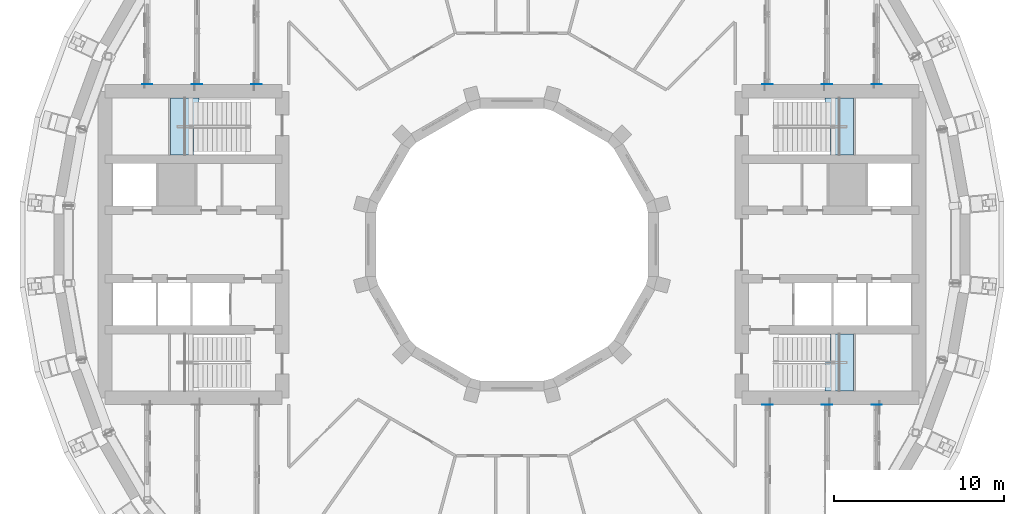
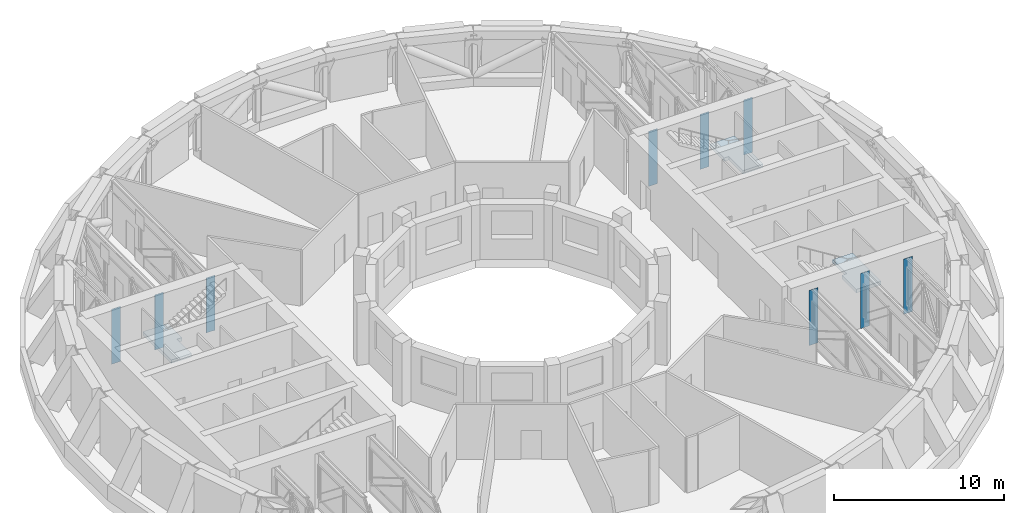
# One storey, part 8 of 19: 9 plates, 3 slabs, 3 elements without a shape of their own.
"""IFC4 building model written with IfcOpenShell, lengths in metres."""

from ifc_helpers import new_model, si_unit, direction, frame, origin, place, context, subcontext, project, spatial, polyline, outline, extrude, material, layer, layer_set, type_object, element, aggregate, save


model = new_model("IFC4")

# Units and contexts
model_context = context("Model", 3, precision=1e-05, world=origin(), true_north=direction((0.0, 1.0)))
body_context = subcontext(model_context, "Body", "Model", "MODEL_VIEW")
ifc_project = project(units=[si_unit("LENGTHUNIT", "METRE"), si_unit("AREAUNIT", "SQUARE_METRE"), si_unit("VOLUMEUNIT", "CUBIC_METRE"), si_unit("PLANEANGLEUNIT", "RADIAN"), si_unit("MASSUNIT", "GRAM", prefix="KILO")], contexts=[model_context])

# Site, building, storey
site_placement = place(None, origin())
site = spatial("IfcSite", under=ifc_project, at=site_placement, CompositionType="ELEMENT")
building_placement = place(site_placement, origin())
building = spatial("IfcBuilding", under=site, at=building_placement, Name="Saqina Gate Tower", CompositionType="ELEMENT")
storey_placement = place(building_placement, frame((0.0, 0.0, 82.39990234375)))
storey = spatial("IfcBuildingStorey", under=building, at=storey_placement, Name="L23", CompositionType="ELEMENT", Elevation=82.39990234375)

# Stair, slab
ifc_material_1 = material(Name="Concrete C40/50", Category="concrete")
stair_type = type_object("IfcStairType", Name="EXIT STAIR", PredefinedType="HALF_TURN_STAIR", material=ifc_material_1)
stair_1_placement = place(storey_placement, origin())
stair_1 = element("IfcStair", 1, at=stair_1_placement, inside=storey, type_object=stair_type, Name="EXIT STAIR 1", PredefinedType="HALF_TURN_STAIR")
ifc_material_2 = material(Name="Concrete C40/50", Category="concrete")
ifc_layer_1 = layer(ifc_material_2, 0.25)
ifc_layer_set_1 = layer_set([ifc_layer_1], Name="Concrete C40/50")
slab_type = type_object("IfcSlabType", Name="EXIT STAIR LANDING", PredefinedType="LANDING", material=ifc_layer_set_1)
slab_1_placement = place(storey_placement, frame((0.0, 0.0, 2.0)))
slab_1 = element("IfcSlab", 2, at=slab_1_placement, type_object=slab_type, Name="EXIT STAIR 1 LANDING 1", PredefinedType="LANDING", context=body_context, shape_type="SweptSolid", body=[
    extrude(outline(polyline([(20.06005859375, 8.60009765625), (20.06005859375, 5.25), (18.705078125, 5.25), (18.705078125, 6.925048828125), (18.384765625, 6.925048828125), (18.384765625, 8.60009765625), (18.705078125, 8.60009765625), (18.7099609375, 8.60009765625), (20.06005859375, 8.60009765625)])), origin(), (0.0, 0.0, 1.0), 0.25),
])
aggregate(stair_1, [slab_1])

stair_2_placement = place(storey_placement, origin())
stair_2 = element("IfcStair", 3, at=stair_2_placement, inside=storey, type_object=stair_type, Name="EXIT STAIR 2", PredefinedType="HALF_TURN_STAIR")
slab_2_placement = place(storey_placement, frame((0.0, 0.0, 2.0)))
slab_2 = element("IfcSlab", 4, at=slab_2_placement, type_object=slab_type, Name="EXIT STAIR 2 LANDING 1", PredefinedType="LANDING", context=body_context, shape_type="SweptSolid", body=[
    extrude(outline(polyline([(18.384765625, -8.60009765625), (18.384765625, -6.925048828125), (18.705078125, -6.925048828125), (18.705078125, -5.25), (20.06005859375, -5.25), (20.06005859375, -8.60009765625), (18.7099609375, -8.60009765625), (18.705078125, -8.60009765625), (18.384765625, -8.60009765625)])), origin(), (0.0, 0.0, 1.0), 0.25),
])
aggregate(stair_2, [slab_2])

stair_3_placement = place(storey_placement, origin())
stair_3 = element("IfcStair", 5, at=stair_3_placement, inside=storey, type_object=stair_type, Name="EXIT STAIR 3", PredefinedType="HALF_TURN_STAIR")
slab_3_placement = place(storey_placement, frame((0.0, 0.0, 2.0)))
slab_3 = element("IfcSlab", 6, at=slab_3_placement, type_object=slab_type, Name="EXIT STAIR 3 LANDING 1", PredefinedType="LANDING", context=body_context, shape_type="SweptSolid", body=[
    extrude(outline(polyline([(-18.705078125, 5.25), (-20.06005859375, 5.25), (-20.06005859375, 8.60009765625), (-18.7099609375, 8.60009765625), (-18.705078125, 8.60009765625), (-18.384765625, 8.60009765625), (-18.384765625, 6.925048828125), (-18.705078125, 6.925048828125), (-18.705078125, 5.25)])), origin(), (0.0, 0.0, 1.0), 0.25),
])
aggregate(stair_3, [slab_3])

# Plates
ifc_material_3 = material(Name="Steel S460", Category="steel")
ifc_layer_2 = layer(ifc_material_3, 0.01806640625)
ifc_layer_set_2 = layer_set([ifc_layer_2], Name="Steel S460")
plate_type = type_object("IfcPlateType", Name="STR-EMBED PLATE", PredefinedType="USERDEFINED", material=ifc_layer_set_2)
plate_1_placement = place(storey_placement, origin())
element("IfcPlate", 7, at=plate_1_placement, inside=storey, type_object=plate_type, Name="EMBED PLATE L23 01", ObjectType="EMBED PLATE", PredefinedType="USERDEFINED", context=body_context, shape_type="SweptSolid", body=[
    extrude(outline(polyline([(21.120849609375, 9.39990234375), (21.720947265625, 9.39990234375), (21.720947265625, 9.41796875), (21.120849609375, 9.41796875), (21.120849609375, 9.39990234375)])), origin(), (0.0, 0.0, 1.0), 3.9501953125),
])
plate_2_placement = place(storey_placement, origin())
element("IfcPlate", 8, at=plate_2_placement, inside=storey, type_object=plate_type, Name="EMBED PLATE L23 02", ObjectType="EMBED PLATE", PredefinedType="USERDEFINED", context=body_context, shape_type="SweptSolid", body=[
    extrude(outline(polyline([(21.120849609375, -9.41796875), (21.720947265625, -9.41796875), (21.720947265625, -9.39990234375), (21.120849609375, -9.39990234375), (21.120849609375, -9.41796875)])), origin(), (0.0, 0.0, 1.0), 3.9501953125),
])
plate_3_placement = place(storey_placement, origin())
element("IfcPlate", 9, at=plate_3_placement, inside=storey, type_object=plate_type, Name="EMBED PLATE L23 03", ObjectType="EMBED PLATE", PredefinedType="USERDEFINED", context=body_context, shape_type="SweptSolid", body=[
    extrude(outline(polyline([(-21.720947265625, 9.39990234375), (-21.120849609375, 9.39990234375), (-21.120849609375, 9.41796875), (-21.720947265625, 9.41796875), (-21.720947265625, 9.39990234375)])), origin(), (0.0, 0.0, 1.0), 3.9501953125),
])
plate_4_placement = place(storey_placement, origin())
element("IfcPlate", 10, at=plate_4_placement, inside=storey, type_object=plate_type, Name="EMBED PLATE L23 05", ObjectType="EMBED PLATE", PredefinedType="USERDEFINED", context=body_context, shape_type="SweptSolid", body=[
    extrude(outline(polyline([(18.19091796875, 9.39990234375), (18.790771484375, 9.39990234375), (18.790771484375, 9.41796875), (18.19091796875, 9.41796875), (18.19091796875, 9.39990234375)])), origin(), (0.0, 0.0, 1.0), 3.9501953125),
])
plate_5_placement = place(storey_placement, origin())
element("IfcPlate", 11, at=plate_5_placement, inside=storey, type_object=plate_type, Name="EMBED PLATE L23 06", ObjectType="EMBED PLATE", PredefinedType="USERDEFINED", context=body_context, shape_type="SweptSolid", body=[
    extrude(outline(polyline([(18.19091796875, -9.41796875), (18.790771484375, -9.41796875), (18.790771484375, -9.39990234375), (18.19091796875, -9.39990234375), (18.19091796875, -9.41796875)])), origin(), (0.0, 0.0, 1.0), 3.9501953125),
])
plate_6_placement = place(storey_placement, origin())
element("IfcPlate", 12, at=plate_6_placement, inside=storey, type_object=plate_type, Name="EMBED PLATE L23 07", ObjectType="EMBED PLATE", PredefinedType="USERDEFINED", context=body_context, shape_type="SweptSolid", body=[
    extrude(outline(polyline([(-18.790771484375, 9.39990234375), (-18.19091796875, 9.39990234375), (-18.19091796875, 9.41796875), (-18.790771484375, 9.41796875), (-18.790771484375, 9.39990234375)])), origin(), (0.0, 0.0, 1.0), 3.9501953125),
])
plate_7_placement = place(storey_placement, origin())
element("IfcPlate", 13, at=plate_7_placement, inside=storey, type_object=plate_type, Name="EMBED PLATE L23 09", ObjectType="EMBED PLATE", PredefinedType="USERDEFINED", context=body_context, shape_type="SweptSolid", body=[
    extrude(outline(polyline([(14.698974609375, 9.39990234375), (15.299072265625, 9.39990234375), (15.299072265625, 9.41796875), (14.698974609375, 9.41796875), (14.698974609375, 9.39990234375)])), origin(), (0.0, 0.0, 1.0), 3.9501953125),
])
plate_8_placement = place(storey_placement, origin())
element("IfcPlate", 14, at=plate_8_placement, inside=storey, type_object=plate_type, Name="EMBED PLATE L23 10", ObjectType="EMBED PLATE", PredefinedType="USERDEFINED", context=body_context, shape_type="SweptSolid", body=[
    extrude(outline(polyline([(14.698974609375, -9.41796875), (15.299072265625, -9.41796875), (15.299072265625, -9.39990234375), (14.698974609375, -9.39990234375), (14.698974609375, -9.41796875)])), origin(), (0.0, 0.0, 1.0), 3.9501953125),
])
plate_9_placement = place(storey_placement, origin())
element("IfcPlate", 15, at=plate_9_placement, inside=storey, type_object=plate_type, Name="EMBED PLATE L23 11", ObjectType="EMBED PLATE", PredefinedType="USERDEFINED", context=body_context, shape_type="SweptSolid", body=[
    extrude(outline(polyline([(-15.299072265625, 9.39990234375), (-14.698974609375, 9.39990234375), (-14.698974609375, 9.41796875), (-15.299072265625, 9.41796875), (-15.299072265625, 9.39990234375)])), origin(), (0.0, 0.0, 1.0), 3.9501953125),
])

save(model, "model.ifc")
